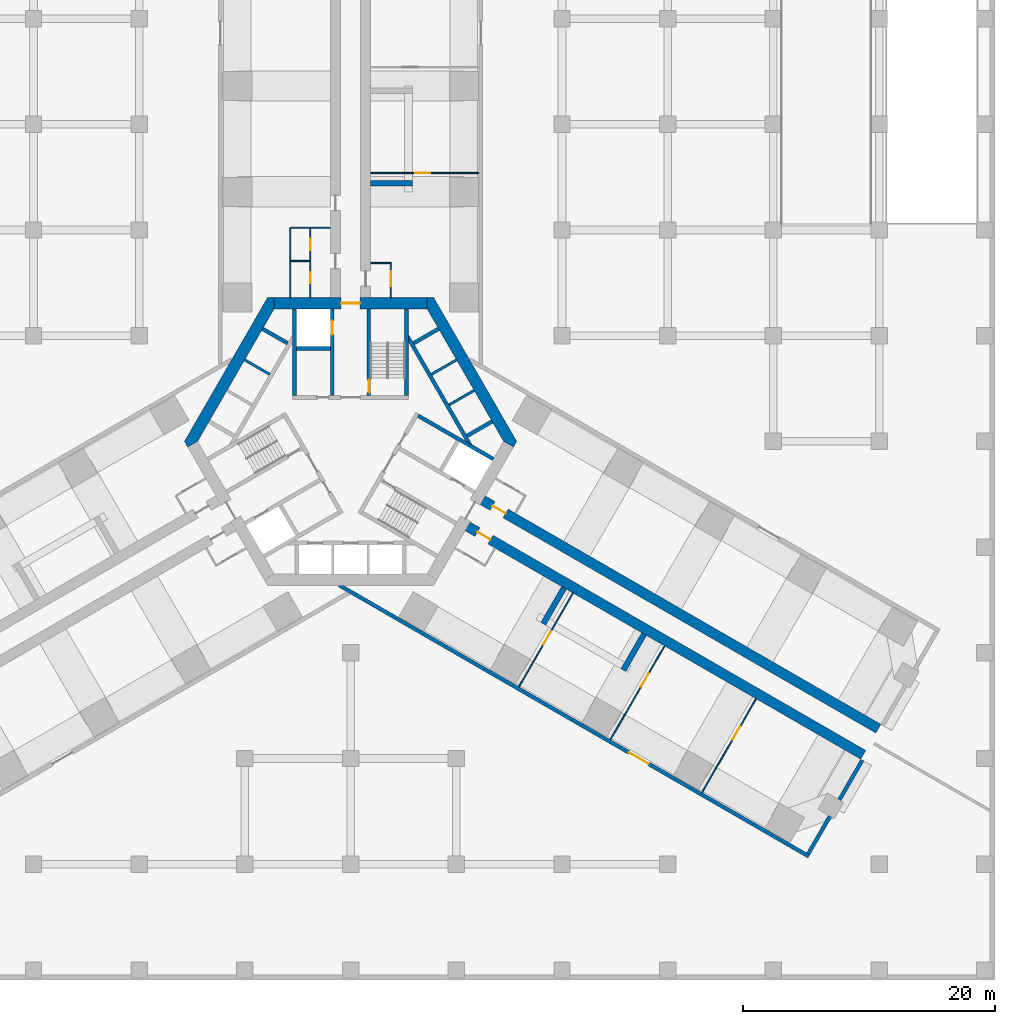
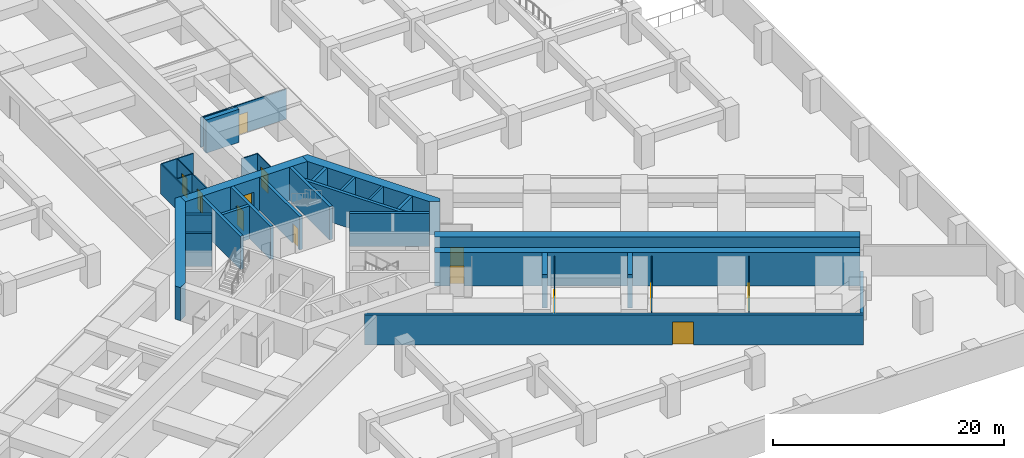
# One storey, part 7 of 10: 33 walls, 13 doors, 13 openings.
"""IFC4 building model written with IfcOpenShell, lengths in metres."""

from ifc_helpers import new_model, si_unit, direction, frame, frame_2d, origin, place, context, subcontext, project, spatial, polyline, rectangle, outline, extrude, material, layer, layer_set, type_object, element, fill, save


model = new_model("IFC4")

# Units and contexts
model_context = context("Model", 3, precision=1e-05, world=origin(), true_north=direction((0.0, 1.0)))
body_context = subcontext(model_context, "Body", "Model", "MODEL_VIEW")
ifc_project = project(units=[si_unit("LENGTHUNIT", "METRE"), si_unit("AREAUNIT", "SQUARE_METRE"), si_unit("VOLUMEUNIT", "CUBIC_METRE"), si_unit("PLANEANGLEUNIT", "RADIAN"), si_unit("MASSUNIT", "GRAM", prefix="KILO")], contexts=[model_context])

# Site, building, storey
site_placement = place(None, origin())
site = spatial("IfcSite", under=ifc_project, at=site_placement, CompositionType="ELEMENT")
building_placement = place(site_placement, origin())
building = spatial("IfcBuilding", under=site, at=building_placement, Name="Impinga Residences", CompositionType="ELEMENT")
storey_placement = place(building_placement, frame((0.0, 0.0, -3.5)))
storey = spatial("IfcBuildingStorey", under=building, at=storey_placement, Name="B1", CompositionType="ELEMENT", Elevation=-3.5)

# Wall, opening, door
ifc_material_1 = material(Name="Concrete C70/85", Category="concrete")
ifc_layer_1 = layer(ifc_material_1, 0.800048828125)
ifc_layer_set_1 = layer_set([ifc_layer_1], Name="Concrete C70/85")
wall_type_1 = type_object("IfcWallType", Name="BW0 corridor buttress wall, B3 to L04 800", PredefinedType="SHEAR", material=ifc_layer_set_1)
wall_1_placement = place(storey_placement, frame((10.1103515625, -4.451416015625, 0.0), z_axis=(0.0, 0.0, 1.0), x_axis=(0.866025284237, -0.500000207062, 0.0)))
wall_1 = element("IfcWall", 1, at=wall_1_placement, inside=storey, type_object=wall_type_1, Name="Corridor wall BW0 EC B1", PredefinedType="SHEAR", context=body_context, shape_type="SweptSolid", body=[
    extrude(rectangle(XDim=36.75, YDim=0.800048828125, at=frame_2d((18.375, 0.0))), origin(), (0.0, 0.0, 1.0), 3.5),
])
opening_1_placement = place(wall_1_placement, frame((1.35009765625, 0.0, 0.0)))
opening_1 = element("IfcOpeningElement", 2, at=opening_1_placement, cuts=wall_1, Name="Opening D3", PredefinedType="OPENING", context=body_context, shape_type="SweptSolid", body=[
    extrude(rectangle(XDim=1.199951171875, YDim=2.10009765625, at=frame_2d((0.60009765625, 1.050048828125))), frame((0.0, 0.409912109375, 0.0), z_axis=(0.0, -1.0, 0.0), x_axis=(1.0, 0.0, 0.0)), (0.0, 0.0, 1.0), 0.820068359375),
])
ifc_material_2 = material(Name="Timber door set", Category="wood")
door_type_1 = type_object("IfcDoorType", Name="D3 room door, leaf and a half 1200x2100", OperationType="DOUBLE_SWING_LEFT", PredefinedType="DOOR", material=ifc_material_2)
door_1_placement = place(opening_1_placement, origin())
door_1 = element("IfcDoor", 3, at=door_1_placement, inside=storey, type_object=door_type_1, Name="Storage cages lobby door B1-EA1", OperationType="DOUBLE_SWING_LEFT", OverallHeight=2.10009765625, OverallWidth=1.199951171875, PredefinedType="DOOR", context=body_context, shape_type="SweptSolid", body=[
    extrude(rectangle(XDim=1.199951171875, YDim=2.10009765625, at=frame_2d((0.60009765625, 1.050048828125))), frame((0.0, 0.02490234375, 0.0), z_axis=(0.0, -1.0, 0.0), x_axis=(1.0, 0.0, 0.0)), (0.0, 0.0, 1.0), 0.050048828125),
])
fill(opening_1, door_1)

wall_2_placement = place(storey_placement, frame((8.910400390625, -6.530029296875, 0.0), z_axis=(0.0, 0.0, 1.0), x_axis=(0.866025284237, -0.500000207062, 0.0)))
wall_2 = element("IfcWall", 4, at=wall_2_placement, inside=storey, type_object=wall_type_1, Name="Corridor wall BW0 ED B1", PredefinedType="SHEAR", context=body_context, shape_type="SweptSolid", body=[
    extrude(rectangle(XDim=36.75, YDim=0.800048828125, at=frame_2d((18.375, 0.0))), origin(), (0.0, 0.0, 1.0), 3.5),
])
opening_2_placement = place(wall_2_placement, frame((1.35009765625, 0.0, 0.0)))
opening_2 = element("IfcOpeningElement", 5, at=opening_2_placement, cuts=wall_2, Name="Opening D3", PredefinedType="OPENING", context=body_context, shape_type="SweptSolid", body=[
    extrude(rectangle(XDim=1.199951171875, YDim=2.10009765625, at=frame_2d((0.60009765625, 1.050048828125))), frame((0.0, 0.409912109375, 0.0), z_axis=(0.0, -1.0, 0.0), x_axis=(1.0, 0.0, 0.0)), (0.0, 0.0, 1.0), 0.820068359375),
])
door_2_placement = place(opening_2_placement, origin())
door_2 = element("IfcDoor", 6, at=door_2_placement, inside=storey, type_object=door_type_1, Name="Plant room lobby door B1-EF1", OperationType="DOUBLE_SWING_LEFT", OverallHeight=2.10009765625, OverallWidth=1.199951171875, PredefinedType="DOOR", context=body_context, shape_type="SweptSolid", body=[
    extrude(rectangle(XDim=1.199951171875, YDim=2.10009765625, at=frame_2d((0.60009765625, 1.050048828125))), frame((0.0, 0.02490234375, 0.0), z_axis=(0.0, -1.0, 0.0), x_axis=(1.0, 0.0, 0.0)), (0.0, 0.0, 1.0), 0.050048828125),
])
fill(opening_2, door_2)

ifc_material_3 = material(Name="Concrete blockwork", Category="masonry")
ifc_layer_2 = layer(ifc_material_3, 0.10009765625)
ifc_layer_set_2 = layer_set([ifc_layer_2], Name="CP1 core room partition, blockwork 100")
wall_type_2 = type_object("IfcWallType", Name="CP1 core room partition, blockwork 100", PredefinedType="PARTITIONING", material=ifc_layer_set_2)
wall_3_placement = place(storey_placement, frame((3.199951171875, 11.431640625, 0.0), z_axis=(0.0, 0.0, 1.0), x_axis=(0.0, 1.0, 0.0)))
wall_3 = element("IfcWall", 7, at=wall_3_placement, inside=storey, type_object=wall_type_2, Name="Core room partition, blockwork B1-NF1:L1", PredefinedType="PARTITIONING", context=body_context, shape_type="SweptSolid", body=[
    extrude(rectangle(XDim=2.7998046875, YDim=0.10009765625, at=frame_2d((1.39990234375, 0.0))), origin(), (0.0, 0.0, 1.0), 3.14990234375),
])
opening_3_placement = place(wall_3_placement, frame((0.89990234375, 0.0, 0.0)))
opening_3 = element("IfcOpeningElement", 8, at=opening_3_placement, cuts=wall_3, Name="Opening D3", PredefinedType="OPENING", context=body_context, shape_type="SweptSolid", body=[
    extrude(rectangle(XDim=1.199951171875, YDim=2.10009765625, at=frame_2d((0.60009765625, 1.050048828125))), frame((0.0, 0.06005859375, 0.0), z_axis=(0.0, -1.0, 0.0), x_axis=(1.0, 0.0, 0.0)), (0.0, 0.0, 1.0), 0.1201171875),
])
door_3_placement = place(opening_3_placement, origin())
door_3 = element("IfcDoor", 9, at=door_3_placement, inside=storey, type_object=door_type_1, Name="Car park ventilation plant room door B1-NF1", OperationType="DOUBLE_SWING_LEFT", OverallHeight=2.10009765625, OverallWidth=1.199951171875, PredefinedType="DOOR", context=body_context, shape_type="SweptSolid", body=[
    extrude(rectangle(XDim=1.199951171875, YDim=2.10009765625, at=frame_2d((0.60009765625, 1.050048828125))), frame((0.0, 0.02490234375, 0.0), z_axis=(0.0, -1.0, 0.0), x_axis=(1.0, 0.0, 0.0)), (0.0, 0.0, 1.0), 0.050048828125),
])
fill(opening_3, door_3)

# Wall
wall_4_placement = place(storey_placement, frame((1.60009765625, 14.181640625, 0.0), z_axis=(0.0, 0.0, 1.0), x_axis=(1.0, 0.0, 0.0)))
element("IfcWall", 10, at=wall_4_placement, inside=storey, type_object=wall_type_2, Name="Core room partition, blockwork B1-NF1:L2", PredefinedType="PARTITIONING", context=body_context, shape_type="SweptSolid", body=[
    extrude(rectangle(XDim=1.5498046875, YDim=0.10009765625, at=frame_2d((0.77490234375, 0.0))), origin(), (0.0, 0.0, 1.0), 3.14990234375),
])

# Wall, opening, door
wall_5_placement = place(storey_placement, frame((1.60009765625, 21.33154296875, 0.0), z_axis=(0.0, 0.0, 1.0), x_axis=(1.0, 0.0, 0.0)))
wall_5 = element("IfcWall", 11, at=wall_5_placement, inside=storey, type_object=wall_type_2, Name="Core room partition, blockwork B1-NF1:PS1", PredefinedType="PARTITIONING", context=body_context, shape_type="SweptSolid", body=[
    extrude(rectangle(XDim=8.599853515625, YDim=0.10009765625, at=frame_2d((4.2998046875, 0.0))), origin(), (0.0, 0.0, 1.0), 3.14990234375),
])
opening_4_placement = place(wall_5_placement, frame((3.52490234375, 0.0, 0.0)))
opening_4 = element("IfcOpeningElement", 12, at=opening_4_placement, cuts=wall_5, Name="Opening D3", PredefinedType="OPENING", context=body_context, shape_type="SweptSolid", body=[
    extrude(rectangle(XDim=1.199951171875, YDim=2.10009765625, at=frame_2d((0.60009765625, 1.050048828125))), frame((0.0, 0.06005859375, 0.0), z_axis=(0.0, -1.0, 0.0), x_axis=(1.0, 0.0, 0.0)), (0.0, 0.0, 1.0), 0.1201171875),
])
door_4_placement = place(opening_4_placement, origin())
door_4 = element("IfcDoor", 13, at=door_4_placement, inside=storey, type_object=door_type_1, Name="Electrical switch room door B1-NF1", OperationType="DOUBLE_SWING_LEFT", OverallHeight=2.10009765625, OverallWidth=1.199951171875, PredefinedType="DOOR", context=body_context, shape_type="SweptSolid", body=[
    extrude(rectangle(XDim=1.199951171875, YDim=2.10009765625, at=frame_2d((0.60009765625, 1.050048828125))), frame((0.0, 0.02490234375, 0.0), z_axis=(0.0, -1.0, 0.0), x_axis=(1.0, 0.0, 0.0)), (0.0, 0.0, 1.0), 0.050048828125),
])
fill(opening_4, door_4)

wall_6_placement = place(storey_placement, frame((17.673583984375, -12.051513671875, 0.0), z_axis=(0.0, 0.0, 1.0), x_axis=(-0.500007509209, -0.866021068297, 0.0)))
wall_6 = element("IfcWall", 14, at=wall_6_placement, inside=storey, type_object=wall_type_2, Name="Core room partition, blockwork B1-EF1:PS1", PredefinedType="PARTITIONING", context=body_context, shape_type="SweptSolid", body=[
    extrude(rectangle(XDim=8.599853515625, YDim=0.10009765625, at=frame_2d((4.2998046875, 0.0))), origin(), (0.0, 0.0, 1.0), 3.14990234375),
])
opening_5_placement = place(wall_6_placement, frame((3.52490234375, 0.0, 0.0)))
opening_5 = element("IfcOpeningElement", 15, at=opening_5_placement, cuts=wall_6, Name="Opening D3", PredefinedType="OPENING", context=body_context, shape_type="SweptSolid", body=[
    extrude(rectangle(XDim=1.199951171875, YDim=2.10009765625, at=frame_2d((0.60009765625, 1.050048828125))), frame((0.0, 0.06005859375, 0.0), z_axis=(0.0, -1.0, 0.0), x_axis=(1.0, 0.0, 0.0)), (0.0, 0.0, 1.0), 0.1201171875),
])
door_5_placement = place(opening_5_placement, origin())
door_5 = element("IfcDoor", 16, at=door_5_placement, inside=storey, type_object=door_type_1, Name="Plant room door B1-EF1", OperationType="DOUBLE_SWING_LEFT", OverallHeight=2.10009765625, OverallWidth=1.199951171875, PredefinedType="DOOR", context=body_context, shape_type="SweptSolid", body=[
    extrude(rectangle(XDim=1.199951171875, YDim=2.10009765625, at=frame_2d((0.60009765625, 1.050048828125))), frame((0.0, 0.02490234375, 0.0), z_axis=(0.0, -1.0, 0.0), x_axis=(1.0, 0.0, 0.0)), (0.0, 0.0, 1.0), 0.050048828125),
])
fill(opening_5, door_5)

wall_7_placement = place(storey_placement, frame((24.9482421875, -16.25146484375, 0.0), z_axis=(0.0, 0.0, 1.0), x_axis=(-0.500007509209, -0.866021068297, 0.0)))
wall_7 = element("IfcWall", 17, at=wall_7_placement, inside=storey, type_object=wall_type_2, Name="Core room partition, blockwork B1-EF1:PS2", PredefinedType="PARTITIONING", context=body_context, shape_type="SweptSolid", body=[
    extrude(rectangle(XDim=8.599853515625, YDim=0.10009765625, at=frame_2d((4.2998046875, 0.0))), origin(), (0.0, 0.0, 1.0), 3.14990234375),
])
opening_6_placement = place(wall_7_placement, frame((2.52490234375, 0.0, 0.0)))
opening_6 = element("IfcOpeningElement", 18, at=opening_6_placement, cuts=wall_7, Name="Opening D3", PredefinedType="OPENING", context=body_context, shape_type="SweptSolid", body=[
    extrude(rectangle(XDim=1.199951171875, YDim=2.10009765625, at=frame_2d((0.60009765625, 1.050048828125))), frame((0.0, 0.06005859375, 0.0), z_axis=(0.0, -1.0, 0.0), x_axis=(1.0, 0.0, 0.0)), (0.0, 0.0, 1.0), 0.1201171875),
])
door_6_placement = place(opening_6_placement, origin())
door_6 = element("IfcDoor", 19, at=door_6_placement, inside=storey, type_object=door_type_1, Name="Electrical switch room door B1-EF1", OperationType="DOUBLE_SWING_LEFT", OverallHeight=2.10009765625, OverallWidth=1.199951171875, PredefinedType="DOOR", context=body_context, shape_type="SweptSolid", body=[
    extrude(rectangle(XDim=1.199951171875, YDim=2.10009765625, at=frame_2d((0.60009765625, 1.050048828125))), frame((0.0, 0.02490234375, 0.0), z_axis=(0.0, -1.0, 0.0), x_axis=(1.0, 0.0, 0.0)), (0.0, 0.0, 1.0), 0.050048828125),
])
fill(opening_6, door_6)

wall_8_placement = place(storey_placement, frame((32.222900390625, -20.451416015625, 0.0), z_axis=(0.0, 0.0, 1.0), x_axis=(-0.500007509209, -0.866021068297, 0.0)))
wall_8 = element("IfcWall", 20, at=wall_8_placement, inside=storey, type_object=wall_type_2, Name="Core room partition, blockwork B1-EF1:PS3", PredefinedType="PARTITIONING", context=body_context, shape_type="SweptSolid", body=[
    extrude(rectangle(XDim=8.599853515625, YDim=0.10009765625, at=frame_2d((4.2998046875, 0.0))), origin(), (0.0, 0.0, 1.0), 3.14990234375),
])
opening_7_placement = place(wall_8_placement, frame((2.52490234375, 0.0, 0.0)))
opening_7 = element("IfcOpeningElement", 21, at=opening_7_placement, cuts=wall_8, Name="Opening D3", PredefinedType="OPENING", context=body_context, shape_type="SweptSolid", body=[
    extrude(rectangle(XDim=1.199951171875, YDim=2.10009765625, at=frame_2d((0.60009765625, 1.050048828125))), frame((0.0, 0.06005859375, 0.0), z_axis=(0.0, -1.0, 0.0), x_axis=(1.0, 0.0, 0.0)), (0.0, 0.0, 1.0), 0.1201171875),
])
door_7_placement = place(opening_7_placement, origin())
door_7 = element("IfcDoor", 22, at=door_7_placement, inside=storey, type_object=door_type_1, Name="Water meter room door B1-EF1", OperationType="DOUBLE_SWING_LEFT", OverallHeight=2.10009765625, OverallWidth=1.199951171875, PredefinedType="DOOR", context=body_context, shape_type="SweptSolid", body=[
    extrude(rectangle(XDim=1.199951171875, YDim=2.10009765625, at=frame_2d((0.60009765625, 1.050048828125))), frame((0.0, 0.02490234375, 0.0), z_axis=(0.0, -1.0, 0.0), x_axis=(1.0, 0.0, 0.0)), (0.0, 0.0, 1.0), 0.050048828125),
])
fill(opening_7, door_7)

# Wall, openings, doors
ifc_material_4 = material(Name="Gypsum board on steel studs", Category="steel")
ifc_layer_3 = layer(ifc_material_4, 0.10009765625)
ifc_layer_set_3 = layer_set([ifc_layer_3], Name="Gypsum board on steel studs")
wall_type_3 = type_object("IfcWallType", Name="IP1 partition 100", PredefinedType="PARTITIONING", material=ifc_layer_set_3)
wall_9_placement = place(storey_placement, frame((-3.199951171875, 11.431640625, 0.0), z_axis=(0.0, 0.0, 1.0), x_axis=(0.0, 1.0, 0.0)))
wall_9 = element("IfcWall", 23, at=wall_9_placement, inside=storey, type_object=wall_type_3, Name="Partition B1-NA1:L1", PredefinedType="PARTITIONING", context=body_context, shape_type="SweptSolid", body=[
    extrude(rectangle(XDim=5.599853515625, YDim=0.10009765625, at=frame_2d((2.7998046875, 0.0))), origin(), (0.0, 0.0, 1.0), 3.14990234375),
])
opening_8_placement = place(wall_9_placement, frame((1.125, 0.0, 0.0)))
opening_8 = element("IfcOpeningElement", 24, at=opening_8_placement, cuts=wall_9, Name="Opening D2", PredefinedType="OPENING", context=body_context, shape_type="SweptSolid", body=[
    extrude(rectangle(XDim=0.89990234375, YDim=2.10009765625, at=frame_2d((0.449951171875, 1.050048828125))), frame((0.0, 0.06005859375, 0.0), z_axis=(0.0, -1.0, 0.0), x_axis=(1.0, 0.0, 0.0)), (0.0, 0.0, 1.0), 0.1201171875),
])
opening_9_placement = place(wall_9_placement, frame((3.77490234375, 0.0, 0.0)))
opening_9 = element("IfcOpeningElement", 25, at=opening_9_placement, cuts=wall_9, Name="Opening D2", PredefinedType="OPENING", context=body_context, shape_type="SweptSolid", body=[
    extrude(rectangle(XDim=0.89990234375, YDim=2.10009765625, at=frame_2d((0.449951171875, 1.050048828125))), frame((0.0, 0.06005859375, 0.0), z_axis=(0.0, -1.0, 0.0), x_axis=(1.0, 0.0, 0.0)), (0.0, 0.0, 1.0), 0.1201171875),
])
door_type_2 = type_object("IfcDoorType", Name="D2 internal door 900x2100", OperationType="SINGLE_SWING_LEFT", PredefinedType="DOOR", material=ifc_material_2)
door_8_placement = place(opening_8_placement, origin())
door_8 = element("IfcDoor", 26, at=door_8_placement, inside=storey, type_object=door_type_2, Name="WC door B1-NA1", OperationType="SINGLE_SWING_LEFT", OverallHeight=2.10009765625, OverallWidth=0.89990234375, PredefinedType="DOOR", context=body_context, shape_type="SweptSolid", body=[
    extrude(rectangle(XDim=0.89990234375, YDim=2.10009765625, at=frame_2d((0.449951171875, 1.050048828125))), frame((0.0, 0.02490234375, 0.0), z_axis=(0.0, -1.0, 0.0), x_axis=(1.0, 0.0, 0.0)), (0.0, 0.0, 1.0), 0.050048828125),
])
fill(opening_8, door_8)
door_9_placement = place(opening_9_placement, origin())
door_9 = element("IfcDoor", 27, at=door_9_placement, inside=storey, type_object=door_type_2, Name="Accessible WC door B1-NA1", OperationType="SINGLE_SWING_RIGHT", OverallHeight=2.10009765625, OverallWidth=0.89990234375, PredefinedType="DOOR", context=body_context, shape_type="SweptSolid", body=[
    extrude(rectangle(XDim=0.89990234375, YDim=2.10009765625, at=frame_2d((0.449951171875, 1.050048828125))), frame((0.0, 0.02490234375, 0.0), z_axis=(0.0, -1.0, 0.0), x_axis=(1.0, 0.0, 0.0)), (0.0, 0.0, 1.0), 0.050048828125),
])
fill(opening_9, door_9)

# Walls
wall_10_placement = place(storey_placement, frame((-3.25, 14.33154296875, 0.0), z_axis=(0.0, 0.0, 1.0), x_axis=(-1.0, 0.0, 0.0)))
element("IfcWall", 28, at=wall_10_placement, inside=storey, type_object=wall_type_3, Name="Partition B1-NA1:T1", PredefinedType="PARTITIONING", context=body_context, shape_type="SweptSolid", body=[
    extrude(rectangle(XDim=1.5, YDim=0.10009765625, at=frame_2d((0.75, 0.0))), origin(), (0.0, 0.0, 1.0), 3.14990234375),
])
wall_11_placement = place(storey_placement, frame((-4.800048828125, 11.431640625, 0.0), z_axis=(0.0, 0.0, 1.0), x_axis=(0.0, 1.0, 0.0)))
element("IfcWall", 29, at=wall_11_placement, inside=storey, type_object=wall_type_3, Name="Partition B1-NA1:T2", PredefinedType="PARTITIONING", context=body_context, shape_type="SweptSolid", body=[
    extrude(rectangle(XDim=5.5498046875, YDim=0.10009765625, at=frame_2d((2.77490234375, 0.0))), origin(), (0.0, 0.0, 1.0), 3.14990234375),
])
wall_12_placement = place(storey_placement, frame((-1.60009765625, 16.9814453125, 0.0), z_axis=(0.0, 0.0, 1.0), x_axis=(-1.0, 0.0, 0.0)))
element("IfcWall", 30, at=wall_12_placement, inside=storey, type_object=wall_type_3, Name="Partition B1-NA1:T3", PredefinedType="PARTITIONING", context=body_context, shape_type="SweptSolid", body=[
    extrude(rectangle(XDim=3.14990234375, YDim=0.10009765625, at=frame_2d((1.574951171875, 0.0))), origin(), (0.0, 0.0, 1.0), 3.14990234375),
])
ifc_layer_4 = layer(ifc_material_3, 0.300048828125)
ifc_layer_set_4 = layer_set([ifc_layer_4], Name="PW3 podium wall on the wing face 300")
wall_type_4 = type_object("IfcWallType", Name="PW3 podium wall on the wing face 300", PredefinedType="SOLIDWALL", material=ifc_layer_set_4)
wall_13_placement = place(storey_placement, frame((40.666748046875, -25.326416015625, 0.0), z_axis=(0.0, 0.0, 1.0), x_axis=(-0.500007509209, -0.866021068297, 0.0)))
element("IfcWall", 31, at=wall_13_placement, inside=storey, type_object=wall_type_4, Name="Podium wall on the wing face B1:END:EF", PredefinedType="SOLIDWALL", context=body_context, shape_type="SweptSolid", body=[
    extrude(rectangle(XDim=8.599853515625, YDim=0.300048828125, at=frame_2d((4.2998046875, 0.0))), origin(), (0.0, 0.0, 1.0), 1.550048828125),
])

# Wall, opening, door
wall_14_placement = place(storey_placement, frame((-0.89990234375, -11.431640625, 0.0), z_axis=(0.0, 0.0, 1.0), x_axis=(0.866025301493, -0.500000177174, 0.0)))
wall_14 = element("IfcWall", 32, at=wall_14_placement, inside=storey, type_object=wall_type_4, Name="Podium wall on the wing face B1:SIDE:EF0", PredefinedType="SOLIDWALL", context=body_context, shape_type="SweptSolid", body=[
    extrude(rectangle(XDim=43.09521484375, YDim=0.300048828125, at=frame_2d((21.547607421875, 0.0))), origin(), (0.0, 0.0, 1.0), 3.14990234375),
])
opening_10_placement = place(wall_14_placement, frame((26.59521484375, 0.0, 0.0)))
opening_10 = element("IfcOpeningElement", 33, at=opening_10_placement, cuts=wall_14, Name="Opening D7", PredefinedType="OPENING", context=body_context, shape_type="SweptSolid", body=[
    extrude(rectangle(XDim=1.800048828125, YDim=2.39990234375, at=frame_2d((0.89990234375, 1.199951171875))), frame((0.0, 0.159912109375, 0.0), z_axis=(0.0, -1.0, 0.0), x_axis=(1.0, 0.0, 0.0)), (0.0, 0.0, 1.0), 0.320068359375),
])
door_type_3 = type_object("IfcDoorType", Name="D7 podium door pair 1800x2400", OperationType="DOUBLE_DOOR_DOUBLE_SWING", PredefinedType="DOOR", material=ifc_material_2)
door_10_placement = place(opening_10_placement, origin())
door_10 = element("IfcDoor", 34, at=door_10_placement, inside=storey, type_object=door_type_3, Name="Double door EF", OperationType="DOUBLE_DOOR_DOUBLE_SWING", OverallHeight=2.39990234375, OverallWidth=1.800048828125, PredefinedType="DOOR", context=body_context, shape_type="SweptSolid", body=[
    extrude(rectangle(XDim=1.800048828125, YDim=2.39990234375, at=frame_2d((0.89990234375, 1.199951171875))), frame((0.0, 0.02490234375, 0.0), z_axis=(0.0, -1.0, 0.0), x_axis=(1.0, 0.0, 0.0)), (0.0, 0.0, 1.0), 0.050048828125),
])
fill(opening_10, door_10)

# Walls
ifc_material_5 = material(Name="Concrete C60/75", Category="concrete")
ifc_layer_5 = layer(ifc_material_5, 0.449951171875)
ifc_layer_set_5 = layer_set([ifc_layer_5], Name="Concrete C60/75")
wall_type_5 = type_object("IfcWallType", Name="SE3 wing stair end wall carried down to the raft, basements 450", PredefinedType="SOLIDWALL", material=ifc_layer_set_5)
wall_15_placement = place(storey_placement, frame((1.60009765625, 20.506591796875, 0.0), z_axis=(0.0, 0.0, 1.0), x_axis=(1.0, 0.0, 0.0)))
element("IfcWall", 35, at=wall_15_placement, inside=storey, type_object=wall_type_5, Name="Stair enclosure wall SE3 N END0 B1", PredefinedType="SOLIDWALL", context=body_context, shape_type="SweptSolid", body=[
    extrude(rectangle(XDim=3.2998046875, YDim=0.449951171875, at=frame_2d((1.64990234375, 0.0))), origin(), (0.0, 0.0, 1.0), 3.5),
])
for number, where, z_axis, x_axis, name in (
    (36, (16.959228515625, -11.638916015625, 0.0), (0.0, 0.0, 1.0), (-0.50002983664, -0.866008176907, 0.0), "Stair enclosure wall SE3 E END0 B1"),
    (37, (23.324462890625, -15.31396484375, 0.0), (0.0, 0.0, 1.0), (-0.499974350878, -0.866040211805, 0.0), "Stair enclosure wall SE3 E END1 B1"),
):
    element("IfcWall", number, at=place(storey_placement, frame(where, z_axis=z_axis, x_axis=x_axis)), inside=storey, type_object=wall_type_5, Name=name, PredefinedType="SOLIDWALL", context=body_context, shape_type="SweptSolid", body=[
        extrude(rectangle(XDim=3.300048828125, YDim=0.449951171875, at=frame_2d((1.64990234375, 0.0))), origin(), (0.0, 0.0, 1.0), 3.5),
    ])

# Wall, opening, door
ifc_layer_6 = layer(ifc_material_1, 0.89990234375)
ifc_layer_set_6 = layer_set([ifc_layer_6], Name="Concrete C70/85")
wall_type_6 = type_object("IfcWallType", Name="SW1 core wall 900", PredefinedType="SHEAR", material=ifc_layer_set_6)
wall_16_placement = place(storey_placement, frame((-6.080322265625, 10.9814453125, 0.0), z_axis=(0.0, 0.0, 1.0), x_axis=(1.0, 0.0, 0.0)))
wall_16 = element("IfcWall", 38, at=wall_16_placement, inside=storey, type_object=wall_type_6, Name="Core wall SW1 N:FACE B1", PredefinedType="SHEAR", context=body_context, shape_type="SweptSolid", body=[
    extrude(rectangle(XDim=12.16064453125, YDim=0.89990234375, at=frame_2d((6.080322265625, 0.0))), origin(), (0.0, 0.0, 1.0), 3.5),
])
opening_11_placement = place(wall_16_placement, frame((5.330322265625, 0.0, 0.0)))
opening_11 = element("IfcOpeningElement", 39, at=opening_11_placement, cuts=wall_16, Name="Opening D4", PredefinedType="OPENING", context=body_context, shape_type="SweptSolid", body=[
    extrude(rectangle(XDim=1.5, YDim=2.10009765625, at=frame_2d((0.75, 1.050048828125))), frame((0.0, 0.4599609375, 0.0), z_axis=(0.0, -1.0, 0.0), x_axis=(1.0, 0.0, 0.0)), (0.0, 0.0, 1.0), 0.919921875),
])
door_type_4 = type_object("IfcDoorType", Name="D4 lobby door pair 1500x2100", OperationType="DOUBLE_DOOR_DOUBLE_SWING", PredefinedType="DOOR", material=ifc_material_2)
door_11_placement = place(opening_11_placement, origin())
door_11 = element("IfcDoor", 40, at=door_11_placement, inside=storey, type_object=door_type_4, Name="Lobby door N", OperationType="DOUBLE_DOOR_DOUBLE_SWING", OverallHeight=2.10009765625, OverallWidth=1.5, PredefinedType="DOOR", context=body_context, shape_type="SweptSolid", body=[
    extrude(rectangle(XDim=1.5, YDim=2.10009765625, at=frame_2d((0.75, 1.050048828125))), frame((0.0, 0.02490234375, 0.0), z_axis=(0.0, -1.0, 0.0), x_axis=(1.0, 0.0, 0.0)), (0.0, 0.0, 1.0), 0.050048828125),
])
fill(opening_11, door_11)

# Walls
wall_17_placement = place(storey_placement, origin())
element("IfcWall", 41, at=wall_17_placement, inside=storey, type_object=wall_type_6, Name="Core wall SW1 W:EXPOSED B1", PredefinedType="SHEAR", context=body_context, shape_type="SweptSolid", body=[
    extrude(outline(polyline([(13.199951171875, 0.0), (6.60009765625, 11.431640625), (6.080322265625, 11.431640625), (6.080322265625, 10.531494140625), (12.160888671875, 0.0), (12.940185546875, -0.449951171875), (13.199951171875, 0.0)])), origin(), (0.0, 0.0, 1.0), 3.5),
])
wall_18_placement = place(storey_placement, origin())
element("IfcWall", 42, at=wall_18_placement, inside=storey, type_object=wall_type_6, Name="Core wall SW1 E:EXPOSED B1", PredefinedType="SHEAR", context=body_context, shape_type="SweptSolid", body=[
    extrude(outline(polyline([(-6.60009765625, 11.431640625), (-13.199951171875, 0.0), (-12.940185546875, -0.449951171875), (-12.160888671875, 0.0), (-6.080322265625, 10.531494140625), (-6.080322265625, 11.431640625), (-6.60009765625, 11.431640625)])), origin(), (0.0, 0.0, 1.0), 3.5),
])

# Wall, opening, door
ifc_layer_7 = layer(ifc_material_1, 0.300048828125)
ifc_layer_set_7 = layer_set([ifc_layer_7], Name="Concrete C70/85")
wall_type_7 = type_object("IfcWallType", Name="SW5 core inner wall, stairs, shafts and lobbies 300", PredefinedType="SHEAR", material=ifc_layer_set_7)
wall_19_placement = place(storey_placement, frame((1.449951171875, 3.6298828125, 0.0), z_axis=(0.0, 0.0, 1.0), x_axis=(0.0, 1.0, 0.0)))
wall_19 = element("IfcWall", 43, at=wall_19_placement, inside=storey, type_object=wall_type_7, Name="Core wall SW5 N:ST-IN B1", PredefinedType="SHEAR", context=body_context, shape_type="SweptSolid", body=[
    extrude(rectangle(XDim=6.901611328125, YDim=0.300048828125, at=frame_2d((3.45068359375, 0.0))), origin(), (0.0, 0.0, 1.0), 3.5),
])
opening_12_placement = place(wall_19_placement, frame((0.25, 0.0, 0.0)))
opening_12 = element("IfcOpeningElement", 44, at=opening_12_placement, cuts=wall_19, Name="Opening D5", PredefinedType="OPENING", context=body_context, shape_type="SweptSolid", body=[
    extrude(rectangle(XDim=1.0, YDim=2.10009765625, at=frame_2d((0.5, 1.050048828125))), frame((0.0, 0.159912109375, 0.0), z_axis=(0.0, -1.0, 0.0), x_axis=(1.0, 0.0, 0.0)), (0.0, 0.0, 1.0), 0.320068359375),
])
door_type_5 = type_object("IfcDoorType", Name="D5 stair door 1000x2100", OperationType="SINGLE_SWING_LEFT", PredefinedType="DOOR", material=ifc_material_2)
door_12_placement = place(opening_12_placement, origin())
door_12 = element("IfcDoor", 45, at=door_12_placement, inside=storey, type_object=door_type_5, Name="Stair door N", OperationType="SINGLE_SWING_LEFT", OverallHeight=2.10009765625, OverallWidth=1.0, PredefinedType="DOOR", context=body_context, shape_type="SweptSolid", body=[
    extrude(rectangle(XDim=1.0, YDim=2.10009765625, at=frame_2d((0.5, 1.050048828125))), frame((0.0, 0.02490234375, 0.0), z_axis=(0.0, -1.0, 0.0), x_axis=(1.0, 0.0, 0.0)), (0.0, 0.0, 1.0), 0.050048828125),
])
fill(opening_12, door_12)

# Wall
wall_20_placement = place(storey_placement, frame((4.449951171875, 3.6298828125, 0.0), z_axis=(0.0, 0.0, 1.0), x_axis=(0.0, 1.0, 0.0)))
element("IfcWall", 46, at=wall_20_placement, inside=storey, type_object=wall_type_7, Name="Core wall SW5 N:ST-OUT B1", PredefinedType="SHEAR", context=body_context, shape_type="SweptSolid", body=[
    extrude(rectangle(XDim=6.901611328125, YDim=0.300048828125, at=frame_2d((3.45068359375, 0.0))), origin(), (0.0, 0.0, 1.0), 3.5),
])

# Wall, opening, door
wall_21_placement = place(storey_placement, frame((-1.449951171875, 3.6298828125, 0.0), z_axis=(0.0, 0.0, 1.0), x_axis=(0.0, 1.0, 0.0)))
wall_21 = element("IfcWall", 47, at=wall_21_placement, inside=storey, type_object=wall_type_7, Name="Core wall SW5 N:FF-IN B1", PredefinedType="SHEAR", context=body_context, shape_type="SweptSolid", body=[
    extrude(rectangle(XDim=6.901611328125, YDim=0.300048828125, at=frame_2d((3.45068359375, 0.0))), origin(), (0.0, 0.0, 1.0), 3.5),
])
opening_13_placement = place(wall_21_placement, frame((4.85009765625, 0.0, 0.0)))
opening_13 = element("IfcOpeningElement", 48, at=opening_13_placement, cuts=wall_21, Name="Opening LD2", PredefinedType="OPENING", context=body_context, shape_type="SweptSolid", body=[
    extrude(rectangle(XDim=1.10009765625, YDim=2.10009765625, at=frame_2d((0.550048828125, 1.050048828125))), frame((0.0, 0.159912109375, 0.0), z_axis=(0.0, -1.0, 0.0), x_axis=(1.0, 0.0, 0.0)), (0.0, 0.0, 1.0), 0.320068359375),
])
ifc_material_6 = material(Name="Steel lift landing door", Category="steel")
door_type_6 = type_object("IfcDoorType", Name="LD2 firefighting lift landing door 1100x2100", OperationType="DOUBLE_DOOR_SLIDING", PredefinedType="DOOR", material=ifc_material_6)
door_13_placement = place(opening_13_placement, origin())
door_13 = element("IfcDoor", 49, at=door_13_placement, inside=storey, type_object=door_type_6, Name="Firefighting lift landing door F1", OperationType="DOUBLE_DOOR_SLIDING", OverallHeight=2.10009765625, OverallWidth=1.10009765625, PredefinedType="DOOR", context=body_context, shape_type="SweptSolid", body=[
    extrude(rectangle(XDim=1.10009765625, YDim=2.10009765625, at=frame_2d((0.550048828125, 1.050048828125))), frame((0.0, 0.02490234375, 0.0), z_axis=(0.0, -1.0, 0.0), x_axis=(1.0, 0.0, 0.0)), (0.0, 0.0, 1.0), 0.050048828125),
])
fill(opening_13, door_13)

# Walls
wall_22_placement = place(storey_placement, frame((-4.449951171875, 3.6298828125, 0.0), z_axis=(0.0, 0.0, 1.0), x_axis=(0.0, 1.0, 0.0)))
element("IfcWall", 50, at=wall_22_placement, inside=storey, type_object=wall_type_7, Name="Core wall SW5 N:FF-OUT B1", PredefinedType="SHEAR", context=body_context, shape_type="SweptSolid", body=[
    extrude(rectangle(XDim=6.901611328125, YDim=0.300048828125, at=frame_2d((3.45068359375, 0.0))), origin(), (0.0, 0.0, 1.0), 3.5),
])
wall_23_placement = place(storey_placement, frame((-4.300048828125, 7.3798828125, 0.0), z_axis=(0.0, 0.0, 1.0), x_axis=(1.0, 0.0, 0.0)))
element("IfcWall", 51, at=wall_23_placement, inside=storey, type_object=wall_type_7, Name="Core wall SW5 N:FF-RS B1", PredefinedType="SHEAR", context=body_context, shape_type="SweptSolid", body=[
    extrude(rectangle(XDim=2.699951171875, YDim=0.300048828125, at=frame_2d((1.35009765625, 0.0))), origin(), (0.0, 0.0, 1.0), 3.5),
])
wall_24_placement = place(storey_placement, frame((5.36865234375, 2.038818359375, 0.0), z_axis=(0.0, 0.0, 1.0), x_axis=(0.86602711848, -0.499997030048, 0.0)))
element("IfcWall", 52, at=wall_24_placement, inside=storey, type_object=wall_type_7, Name="Core wall SW5 E:FF-OUT B1", PredefinedType="SHEAR", context=body_context, shape_type="SweptSolid", body=[
    extrude(rectangle(XDim=6.9013671875, YDim=0.300048828125, at=frame_2d((3.45068359375, 0.0))), origin(), (0.0, 0.0, 1.0), 3.5),
])
wall_25_placement = place(storey_placement, frame((4.449951171875, 8.455322265625, 0.0), z_axis=(0.0, 0.0, 1.0), x_axis=(0.500002290144, -0.866024081565, 0.0)))
element("IfcWall", 53, at=wall_25_placement, inside=storey, type_object=wall_type_7, Name="Core wall SW5 W:BANK-FRONT B1", PredefinedType="SHEAR", context=body_context, shape_type="SweptSolid", body=[
    extrude(rectangle(XDim=10.1953125, YDim=0.300048828125, at=frame_2d((5.09765625, 0.0))), origin(), (0.0, 0.0, 1.0), 3.5),
])
for number, where, z_axis, x_axis, name in (
    (54, (5.003662109375, 7.79638671875, 0.0), (0.0, 0.0, 1.0), (0.866053019151, 0.499952165731, 0.0), "Core wall SW5 W:BANK-L B1"),
    (55, (9.253662109375, 0.43505859375, 0.0), (0.0, 0.0, 1.0), (0.866007057882, 0.500031774688, 0.0), "Core wall SW5 W:BANK-R B1"),
    (56, (-5.003662109375, 7.79638671875, 0.0), (0.0, 0.0, 1.0), (-0.866053019151, 0.499952165731, 0.0), "Core wall SW5 E:BANK-R B1"),
):
    element("IfcWall", number, at=place(storey_placement, frame(where, z_axis=z_axis, x_axis=x_axis)), inside=storey, type_object=wall_type_7, Name=name, PredefinedType="SHEAR", context=body_context, shape_type="SweptSolid", body=[
        extrude(rectangle(XDim=2.300048828125, YDim=0.300048828125, at=frame_2d((1.14990234375, 0.0))), origin(), (0.0, 0.0, 1.0), 3.5),
    ])
ifc_layer_8 = layer(ifc_material_1, 0.199951171875)
ifc_layer_set_8 = layer_set([ifc_layer_8], Name="Concrete C70/85")
wall_type_8 = type_object("IfcWallType", Name="SW6 lift shaft divider wall 200", PredefinedType="SHEAR", material=ifc_layer_set_8)
for number, where, z_axis, x_axis, name in (
    (57, (6.4287109375, 5.328125, 0.0), (0.0, 0.0, 1.0), (0.866007057882, 0.500031774688, 0.0), "Core wall SW6 W:BANK-D1 B1"),
    (58, (7.82861328125, 2.9033203125, 0.0), (0.0, 0.0, 1.0), (0.866053019151, 0.499952165731, 0.0), "Core wall SW6 W:BANK-D2 B1"),
    (59, (-6.4287109375, 5.328125, 0.0), (0.0, 0.0, 1.0), (-0.866007057882, 0.500031774688, 0.0), "Core wall SW6 E:BANK-D2 B1"),
):
    element("IfcWall", number, at=place(storey_placement, frame(where, z_axis=z_axis, x_axis=x_axis)), inside=storey, type_object=wall_type_8, Name=name, PredefinedType="SHEAR", context=body_context, shape_type="SweptSolid", body=[
        extrude(rectangle(XDim=2.300048828125, YDim=0.199951171875, at=frame_2d((1.14990234375, 0.0))), origin(), (0.0, 0.0, 1.0), 3.5),
    ])

save(model, "model.ifc")
